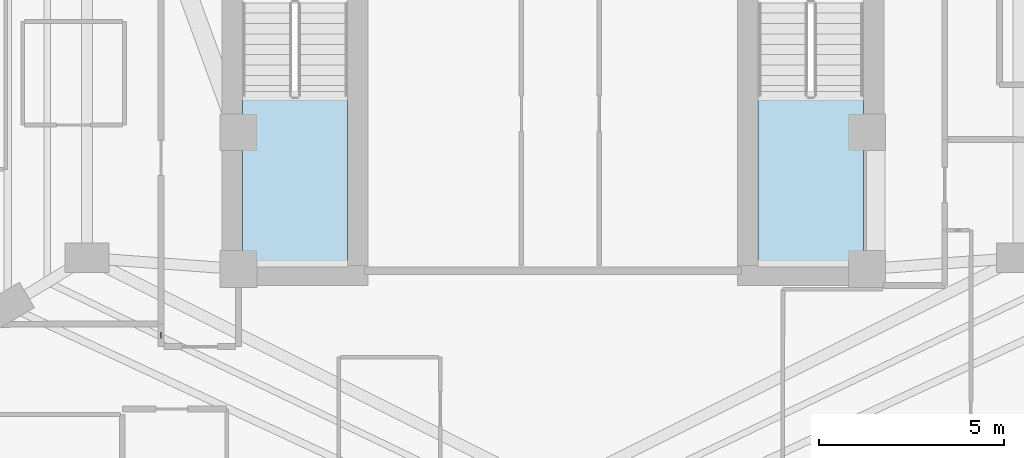
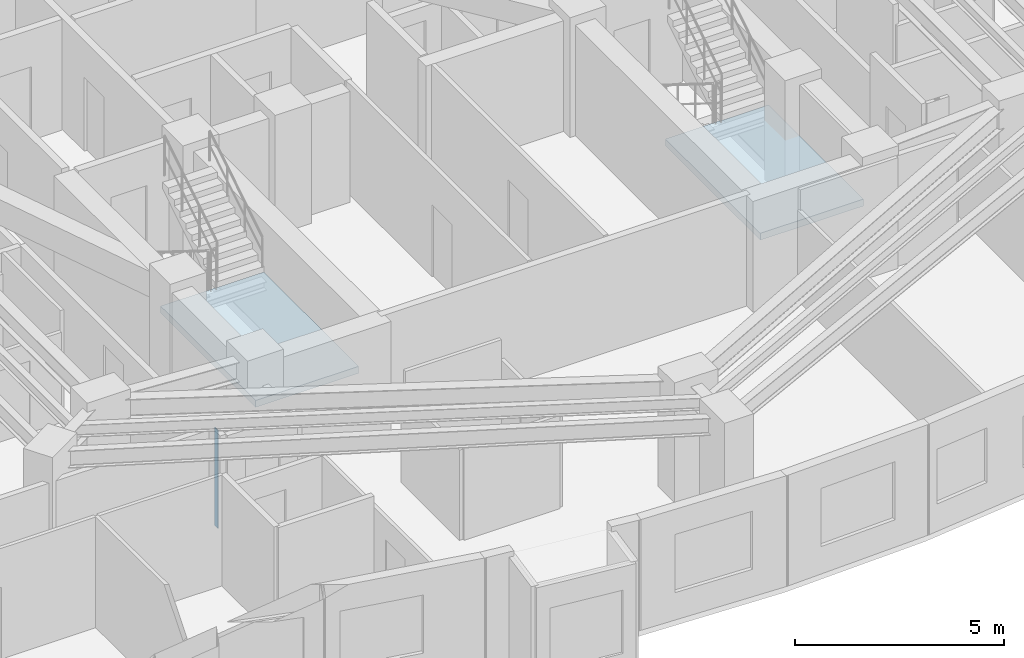
# One storey, part 4 of 14: 2 slabs, 1 plate, 2 elements without a shape of their own.
"""IFC4 building model written with IfcOpenShell, lengths in metres."""

from ifc_helpers import new_model, si_unit, direction, frame, origin, origin_2d, place, context, subcontext, project, spatial, polyline, rectangle, outline, extrude, material, layer, layer_set, type_object, element, aggregate, save


model = new_model("IFC4")

# Units and contexts
model_context = context("Model", 3, precision=1e-05, world=origin(), true_north=direction((0.0, 1.0)))
body_context = subcontext(model_context, "Body", "Model", "MODEL_VIEW")
ifc_project = project(units=[si_unit("LENGTHUNIT", "METRE"), si_unit("AREAUNIT", "SQUARE_METRE"), si_unit("VOLUMEUNIT", "CUBIC_METRE"), si_unit("PLANEANGLEUNIT", "RADIAN"), si_unit("MASSUNIT", "GRAM", prefix="KILO")], contexts=[model_context])

# Site, building, storey
site_placement = place(None, origin())
site = spatial("IfcSite", under=ifc_project, at=site_placement, CompositionType="ELEMENT")
building_placement = place(site_placement, origin())
building = spatial("IfcBuilding", under=site, at=building_placement, Name="Miruveldt Soraemaru", CompositionType="ELEMENT")
storey_placement = place(building_placement, frame((0.0, 0.0, 142.39990234375)))
storey = spatial("IfcBuildingStorey", under=building, at=storey_placement, Name="L39", CompositionType="ELEMENT", Elevation=142.39990234375)

# Plate
ifc_material_1 = material(Name="Anodised aluminium EN AW-6063 T6", Category="aluminium")
ifc_layer_1 = layer(ifc_material_1, 0.02001953125, Name="Anodised aluminium EN AW-6063 T6", Category="aluminium")
ifc_layer_set_1 = layer_set([ifc_layer_1], Name="Anodised aluminium EN AW-6063 T6")
plate_type = type_object("IfcPlateType", Name="PLT-PART-TRIM", PredefinedType="SHEET", material=ifc_layer_set_1)
plate_placement = place(storey_placement, frame((33.39990234375, 33.7080078125, 0.0), z_axis=(0.0, 0.0, 1.0), x_axis=(0.0, -1.0, 0.0)))
element("IfcPlate", 1, at=plate_placement, inside=storey, type_object=plate_type, Name="L39 Partition Step Corner Trim Plate 005", PredefinedType="SHEET", context=body_context, shape_type="SweptSolid", body=[
    extrude(rectangle(XDim=0.159912109375, YDim=0.02001953125, at=origin_2d()), origin(), (0.0, 0.0, 1.0), 2.873046875),
])

# Stair, slab
ifc_material_2 = material(Name="Concrete C40/50 (40 MPa)", Category="concrete")
stair_type = type_object("IfcStairType", Name="STAIR-DL-350", PredefinedType="HALF_TURN_STAIR", material=ifc_material_2)
stair_1_placement = place(storey_placement, origin())
stair_1 = element("IfcStair", 2, at=stair_1_placement, inside=storey, type_object=stair_type, Name="L39 Protected Exit Stair ST-1", PredefinedType="HALF_TURN_STAIR")
ifc_layer_2 = layer(ifc_material_2, 0.199951171875, Name="Concrete C40/50 (40 MPa)", Category="concrete")
ifc_layer_set_2 = layer_set([ifc_layer_2], Name="Concrete C40/50 (40 MPa)")
slab_type = type_object("IfcSlabType", Name="SLAB-LAND-200", PredefinedType="LANDING", material=ifc_layer_set_2)
slab_1_placement = place(storey_placement, frame((0.0, 0.0, 1.550048828125)))
slab_1 = element("IfcSlab", 3, at=slab_1_placement, type_object=slab_type, Name="ST-1 landing 1", PredefinedType="LANDING", context=body_context, shape_type="SweptSolid", body=[
    extrude(outline(polyline([(35.60009765625, 40.197998046875), (35.60009765625, 35.64990234375), (38.449951171875, 35.64990234375), (38.449951171875, 40.197998046875), (35.60009765625, 40.197998046875)])), origin(), (0.0, 0.0, 1.0), 0.199951171875),
])
aggregate(stair_1, [slab_1])

stair_2_placement = place(storey_placement, origin())
stair_2 = element("IfcStair", 4, at=stair_2_placement, inside=storey, type_object=stair_type, Name="L39 Protected Exit Stair ST-2", PredefinedType="HALF_TURN_STAIR")
slab_2_placement = place(storey_placement, frame((0.0, 0.0, 1.550048828125)))
slab_2 = element("IfcSlab", 5, at=slab_2_placement, type_object=slab_type, Name="ST-2 landing 1", PredefinedType="LANDING", context=body_context, shape_type="SweptSolid", body=[
    extrude(outline(polyline([(49.550048828125, 40.197998046875), (49.550048828125, 35.64990234375), (52.39990234375, 35.64990234375), (52.39990234375, 40.197998046875), (49.550048828125, 40.197998046875)])), origin(), (0.0, 0.0, 1.0), 0.199951171875),
])
aggregate(stair_2, [slab_2])

save(model, "model.ifc")
